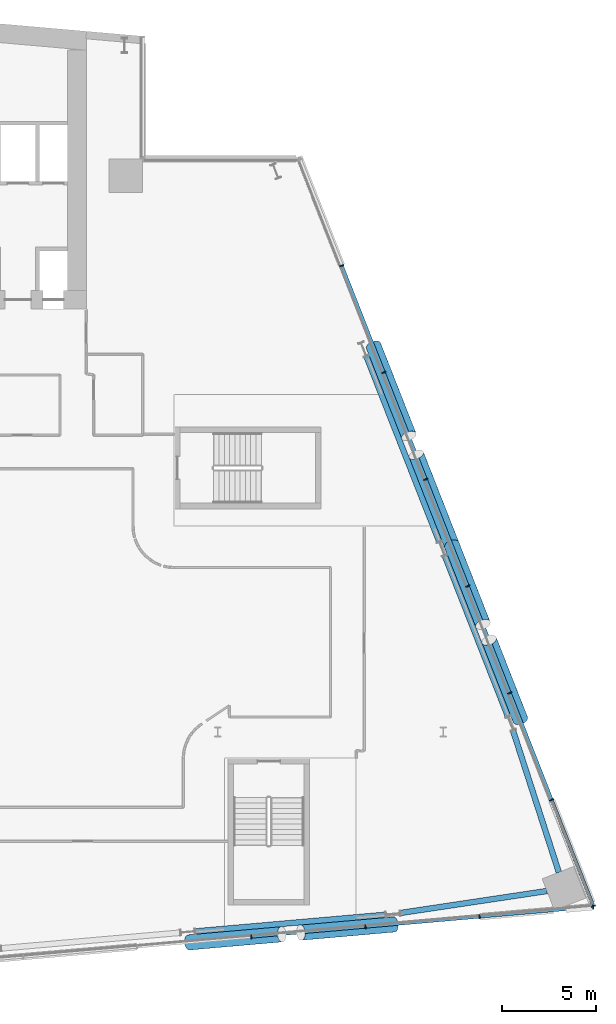
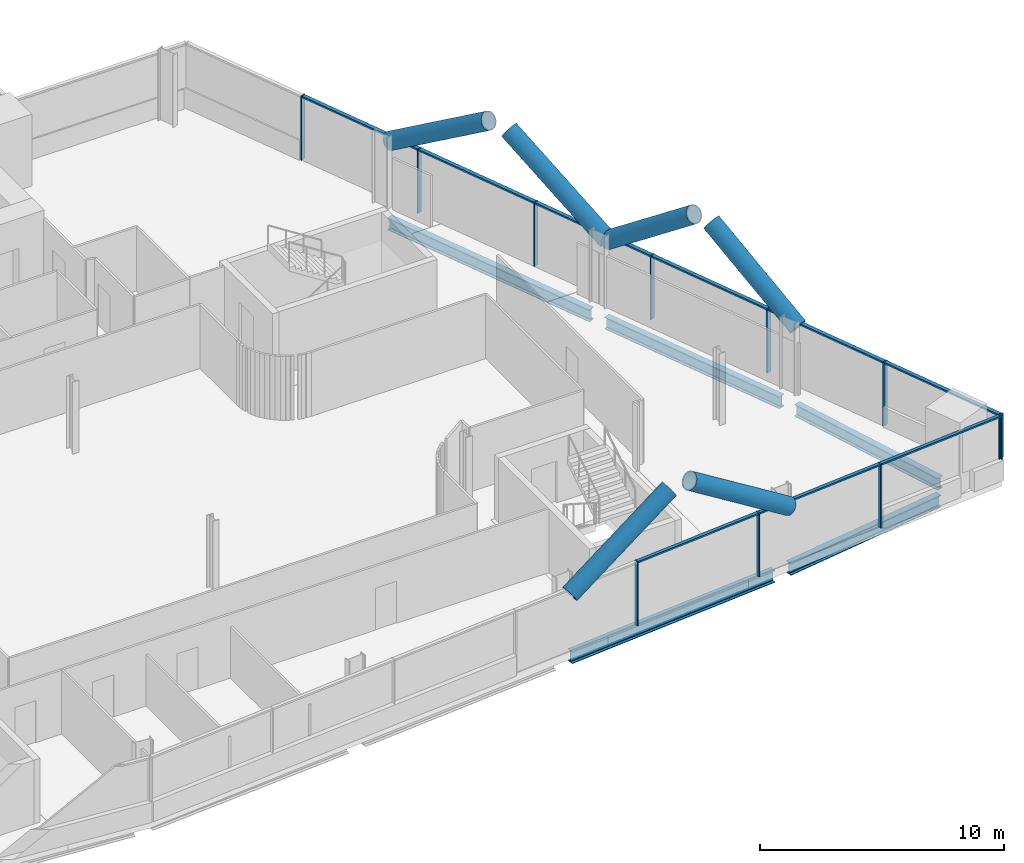
# One storey, part 10 of 30: 26 members, 5 beams, 2 elements without a shape of their own.
"""IFC4 building model written with IfcOpenShell, lengths in metres."""

from ifc_helpers import new_model, si_unit, direction, frame, origin, origin_2d, place, context, subcontext, project, spatial, rectangle, hollow_circle, i_section, extrude, material, material_profile, profile_set, type_object, element, aggregate, save


model = new_model("IFC4")

# Units and contexts
model_context = context("Model", 3, precision=1e-05, world=origin(), true_north=direction((0.0, 1.0)))
body_context = subcontext(model_context, "Body", "Model", "MODEL_VIEW")
ifc_project = project(units=[si_unit("LENGTHUNIT", "METRE"), si_unit("AREAUNIT", "SQUARE_METRE"), si_unit("VOLUMEUNIT", "CUBIC_METRE"), si_unit("PLANEANGLEUNIT", "RADIAN"), si_unit("MASSUNIT", "GRAM", prefix="KILO")], contexts=[model_context])

# Site, building, storey
site_placement = place(None, origin())
site = spatial("IfcSite", under=ifc_project, at=site_placement, CompositionType="ELEMENT")
building_placement = place(site_placement, origin())
building = spatial("IfcBuilding", under=site, at=building_placement, Name="Wharfspan Tower", CompositionType="ELEMENT")
storey_placement = place(building_placement, frame((0.0, 0.0, 107.5)))
storey = spatial("IfcBuildingStorey", under=building, at=storey_placement, Name="L24", CompositionType="ELEMENT", Elevation=107.5)

# Beams
ifc_material_1 = material(Name="Steel S355J2", Category="steel")
ifc_material_profile_1 = material_profile(ifc_material_1, i_section(OverallWidth=0.300049, OverallDepth=0.600098, WebThickness=0.015381, FlangeThickness=0.030029, FilletRadius=0.0271, at=origin_2d()))
ifc_profile_set_1 = profile_set([ifc_material_profile_1], Name="Steel S355J2")
beam_type = type_object("IfcBeamType", Name="Edge beam HEB 600", PredefinedType="SPANDREL", material=ifc_profile_set_1)
beam_1_placement = place(storey_placement, frame((70.805664, 0.887695, -0.699951), z_axis=(0.996194, 0.087159, 0.0), x_axis=(-0.087159, 0.996194, 0.0)))
element("IfcBeam", 1, at=beam_1_placement, inside=storey, type_object=beam_type, Name="Edge beam S2 L24 PS2.2 to PS2.3", PredefinedType="SPANDREL", context=body_context, shape_type="SweptSolid", body=[
    extrude(i_section(OverallWidth=0.300049, OverallDepth=0.600098, WebThickness=0.015381, FlangeThickness=0.030029, FilletRadius=0.0271, at=origin_2d()), origin(), (0.0, 0.0, 1.0), 10.159424),
])
beam_2_placement = place(storey_placement, frame((81.727295, 1.868408, -0.699951), z_axis=(0.988926, 0.148412, 0.0), x_axis=(-0.148412, 0.988926, 0.0)))
element("IfcBeam", 2, at=beam_2_placement, inside=storey, type_object=beam_type, Name="Edge beam S2 L24 PS2.3 to MC4", PredefinedType="SPANDREL", context=body_context, shape_type="SweptSolid", body=[
    extrude(i_section(OverallWidth=0.300049, OverallDepth=0.600098, WebThickness=0.015381, FlangeThickness=0.030029, FilletRadius=0.0271, at=origin_2d()), origin(), (0.0, 0.0, 1.0), 7.87793),
])
beam_3_placement = place(storey_placement, frame((90.150879, 4.02832, -0.699951), z_axis=(-0.307851, 0.951434, 0.0), x_axis=(-0.951434, -0.307851, 0.0)))
element("IfcBeam", 3, at=beam_3_placement, inside=storey, type_object=beam_type, Name="Edge beam E L24 MC4 to PE.1", PredefinedType="SPANDREL", context=body_context, shape_type="SweptSolid", body=[
    extrude(i_section(OverallWidth=0.300049, OverallDepth=0.600098, WebThickness=0.015381, FlangeThickness=0.030029, FilletRadius=0.0271, at=origin_2d()), origin(), (0.0, 0.0, 1.0), 7.924805),
])
beam_4_placement = place(storey_placement, frame((87.439453, 12.327637, -0.699951), z_axis=(-0.365779, 0.930702, 0.0), x_axis=(-0.930702, -0.365779, 0.0)))
element("IfcBeam", 4, at=beam_4_placement, inside=storey, type_object=beam_type, Name="Edge beam E L24 PE.1 to PE.2", PredefinedType="SPANDREL", context=body_context, shape_type="SweptSolid", body=[
    extrude(i_section(OverallWidth=0.300049, OverallDepth=0.600098, WebThickness=0.015381, FlangeThickness=0.030029, FilletRadius=0.0271, at=origin_2d()), origin(), (0.0, 0.0, 1.0), 9.184814),
])
beam_5_placement = place(storey_placement, frame((83.785156, 21.625977, -0.699951), z_axis=(-0.365789, 0.930698, 0.0), x_axis=(-0.930698, -0.365789, 0.0)))
element("IfcBeam", 5, at=beam_5_placement, inside=storey, type_object=beam_type, Name="Edge beam E L24 PE.2 to PE.3", PredefinedType="SPANDREL", context=body_context, shape_type="SweptSolid", body=[
    extrude(i_section(OverallWidth=0.300049, OverallDepth=0.600098, WebThickness=0.015381, FlangeThickness=0.030029, FilletRadius=0.0271, at=origin_2d()), origin(), (0.0, 0.0, 1.0), 10.584961),
])

# Curtain wall, members
ifc_material_2 = material(Name="Aluminium 6063-T6", Category="aluminium")
curtain_wall_type_1 = type_object("IfcCurtainWallType", Name="CURTAIN WALL FACETED FRONT", PredefinedType="NOTDEFINED", material=ifc_material_2)
curtain_wall_1_placement = place(storey_placement, origin())
curtain_wall_1 = element("IfcCurtainWall", 6, at=curtain_wall_1_placement, inside=storey, type_object=curtain_wall_type_1, Name="Curtain wall S2", PredefinedType="NOTDEFINED")
ifc_material_profile_2 = material_profile(ifc_material_2, rectangle(XDim=0.199951, YDim=0.060059, at=origin_2d()))
ifc_profile_set_2 = profile_set([ifc_material_profile_2], Name="Aluminium 6063-T6")
member_type_1 = type_object("IfcMemberType", Name="MULLION FACETED FRONT 60x200", PredefinedType="MULLION", material=ifc_profile_set_2)
member_1_placement = place(storey_placement, frame((73.785645, 0.606445, 0.0), z_axis=(0.0, 0.0, 1.0), x_axis=(-0.087156, 0.996198, 0.0)))
member_1 = element("IfcMember", 7, at=member_1_placement, type_object=member_type_1, Name="Curtain wall S2 mullion 5", PredefinedType="MULLION", context=body_context, shape_type="SweptSolid", body=[
    extrude(rectangle(XDim=0.199951, YDim=0.060059, at=origin_2d()), origin(), (0.0, 0.0, 1.0), 3.199951),
])
member_2_placement = place(storey_placement, frame((79.857178, 1.137695, 0.0), z_axis=(0.0, 0.0, 1.0), x_axis=(-0.087156, 0.996198, 0.0)))
member_2 = element("IfcMember", 8, at=member_2_placement, type_object=member_type_1, Name="Curtain wall S2 mullion 6", PredefinedType="MULLION", context=body_context, shape_type="SweptSolid", body=[
    extrude(rectangle(XDim=0.199951, YDim=0.060059, at=origin_2d()), origin(), (0.0, 0.0, 1.0), 3.199951),
])
member_3_placement = place(storey_placement, frame((85.928467, 1.668701, 0.0), z_axis=(0.0, 0.0, 1.0), x_axis=(-0.087156, 0.996198, 0.0)))
member_3 = element("IfcMember", 9, at=member_3_placement, type_object=member_type_1, Name="Curtain wall S2 mullion 7", PredefinedType="MULLION", context=body_context, shape_type="SweptSolid", body=[
    extrude(rectangle(XDim=0.199951, YDim=0.060059, at=origin_2d()), origin(), (0.0, 0.0, 1.0), 3.199951),
])
member_4_placement = place(storey_placement, frame((91.970215, 2.197266, 1.0), z_axis=(0.0, 0.0, 1.0), x_axis=(-0.087156, 0.996198, 0.0)))
member_4 = element("IfcMember", 10, at=member_4_placement, type_object=member_type_1, Name="Curtain wall S2 mullion 8", PredefinedType="MULLION", context=body_context, shape_type="SweptSolid", body=[
    extrude(rectangle(XDim=0.199951, YDim=0.060059, at=origin_2d()), origin(), (0.0, 0.0, 1.0), 2.199951),
])

curtain_wall_type_2 = type_object("IfcCurtainWallType", Name="CURTAIN WALL PROW AND END", PredefinedType="NOTDEFINED", material=ifc_material_2)
curtain_wall_2_placement = place(storey_placement, origin())
curtain_wall_2 = element("IfcCurtainWall", 11, at=curtain_wall_2_placement, inside=storey, type_object=curtain_wall_type_2, Name="Curtain wall E", PredefinedType="NOTDEFINED")
ifc_material_profile_3 = material_profile(ifc_material_2, rectangle(XDim=0.23999, YDim=0.060059, at=origin_2d()))
ifc_profile_set_3 = profile_set([ifc_material_profile_3], Name="Aluminium 6063-T6")
member_type_2 = type_object("IfcMemberType", Name="MULLION PROW AND END 60x240", PredefinedType="MULLION", material=ifc_profile_set_3)
member_5_placement = place(storey_placement, frame((91.989014, 2.228027, 1.0), z_axis=(0.0, 0.0, 1.0), x_axis=(-0.930702, -0.365778, 0.0)))
member_5 = element("IfcMember", 12, at=member_5_placement, type_object=member_type_2, Name="Curtain wall E mullion 1", PredefinedType="MULLION", context=body_context, shape_type="SweptSolid", body=[
    extrude(rectangle(XDim=0.23999, YDim=0.060059, at=origin_2d()), origin(), (0.0, 0.0, 1.0), 2.199951),
])
member_6_placement = place(storey_placement, frame((89.765381, 7.885742, 0.0), z_axis=(0.0, 0.0, 1.0), x_axis=(-0.930702, -0.365778, 0.0)))
member_6 = element("IfcMember", 13, at=member_6_placement, type_object=member_type_2, Name="Curtain wall E mullion 2", PredefinedType="MULLION", context=body_context, shape_type="SweptSolid", body=[
    extrude(rectangle(XDim=0.23999, YDim=0.060059, at=origin_2d()), origin(), (0.0, 0.0, 1.0), 3.199951),
])
member_7_placement = place(storey_placement, frame((87.530762, 13.571533, 0.0), z_axis=(0.0, 0.0, 1.0), x_axis=(-0.930702, -0.365778, 0.0)))
member_7 = element("IfcMember", 14, at=member_7_placement, type_object=member_type_2, Name="Curtain wall E mullion 3", PredefinedType="MULLION", context=body_context, shape_type="SweptSolid", body=[
    extrude(rectangle(XDim=0.23999, YDim=0.060059, at=origin_2d()), origin(), (0.0, 0.0, 1.0), 3.199951),
])
member_8_placement = place(storey_placement, frame((85.296387, 19.25708, 0.0), z_axis=(0.0, 0.0, 1.0), x_axis=(-0.930702, -0.365778, 0.0)))
member_8 = element("IfcMember", 15, at=member_8_placement, type_object=member_type_2, Name="Curtain wall E mullion 4", PredefinedType="MULLION", context=body_context, shape_type="SweptSolid", body=[
    extrude(rectangle(XDim=0.23999, YDim=0.060059, at=origin_2d()), origin(), (0.0, 0.0, 1.0), 3.199951),
])
member_9_placement = place(storey_placement, frame((83.061768, 24.942871, 0.0), z_axis=(0.0, 0.0, 1.0), x_axis=(-0.930702, -0.365778, 0.0)))
member_9 = element("IfcMember", 16, at=member_9_placement, type_object=member_type_2, Name="Curtain wall E mullion 5", PredefinedType="MULLION", context=body_context, shape_type="SweptSolid", body=[
    extrude(rectangle(XDim=0.23999, YDim=0.060059, at=origin_2d()), origin(), (0.0, 0.0, 1.0), 3.199951),
])
member_10_placement = place(storey_placement, frame((80.827148, 30.628662, 0.0), z_axis=(0.0, 0.0, 1.0), x_axis=(-0.930702, -0.365778, 0.0)))
member_10 = element("IfcMember", 17, at=member_10_placement, type_object=member_type_2, Name="Curtain wall E mullion 6", PredefinedType="MULLION", context=body_context, shape_type="SweptSolid", body=[
    extrude(rectangle(XDim=0.23999, YDim=0.060059, at=origin_2d()), origin(), (0.0, 0.0, 1.0), 3.199951),
])
member_11_placement = place(storey_placement, frame((78.592529, 36.314209, 0.0), z_axis=(0.0, 0.0, 1.0), x_axis=(-0.930702, -0.365778, 0.0)))
member_11 = element("IfcMember", 18, at=member_11_placement, type_object=member_type_2, Name="Curtain wall E mullion 7", PredefinedType="MULLION", context=body_context, shape_type="SweptSolid", body=[
    extrude(rectangle(XDim=0.23999, YDim=0.060059, at=origin_2d()), origin(), (0.0, 0.0, 1.0), 3.199951),
])

# Members
ifc_material_3 = material(Name="Steel S460NH", Category="steel")
ifc_material_profile_4 = material_profile(ifc_material_3, hollow_circle(Radius=0.406494, WallThickness=0.040039, at=origin_2d()))
ifc_profile_set_4 = profile_set([ifc_material_profile_4], Name="Steel S460NH")
member_type_3 = type_object("IfcMemberType", Name="Mega brace CHS 813x40", PredefinedType="BRACE", material=ifc_profile_set_4)
member_12_placement = place(storey_placement, frame((70.452393, 0.299805, 2.899902), z_axis=(0.832734, 0.072869, 0.548858), x_axis=(-0.087173, 0.99619, 1e-06)))
element("IfcMember", 19, at=member_12_placement, inside=storey, type_object=member_type_3, Name="Mega brace S2 L25 part 1", PredefinedType="BRACE", context=body_context, shape_type="SweptSolid", body=[
    extrude(hollow_circle(Radius=0.406494, WallThickness=0.040039, at=origin_2d()), origin(), (0.0, 0.0, 1.0), 5.943604),
])
member_13_placement = place(storey_placement, frame((81.376221, 1.255371, 2.899902), z_axis=(-0.832724, -0.07283, 0.548878), x_axis=(0.087128, -0.996197, 1e-06)))
element("IfcMember", 20, at=member_13_placement, inside=storey, type_object=member_type_3, Name="Mega brace S2 L25 part 3", PredefinedType="BRACE", context=body_context, shape_type="SweptSolid", body=[
    extrude(hollow_circle(Radius=0.406494, WallThickness=0.040039, at=origin_2d()), origin(), (0.0, 0.0, 1.0), 5.943359),
])
for number, where, z_axis, x_axis, name in (
    (21, (84.448975, 21.454102, 2.899902), (-0.30918, 0.786702, 0.534329), (-0.930701, -0.36577, -4e-06), "Mega brace E5 L25 part 1"),
    (22, (80.282471, 32.05542, 2.899902), (0.309216, -0.786692, 0.534323), (0.93069, 0.365817, 2e-06), "Mega brace E5 L25 part 3"),
):
    element("IfcMember", number, at=place(storey_placement, frame(where, z_axis=z_axis, x_axis=x_axis)), inside=storey, type_object=member_type_3, Name=name, PredefinedType="BRACE", context=body_context, shape_type="SweptSolid", body=[
        extrude(hollow_circle(Radius=0.406494, WallThickness=0.040039, at=origin_2d()), origin(), (0.0, 0.0, 1.0), 6.098389),
    ])
member_14_placement = place(storey_placement, frame((88.103516, 12.155518, 2.899902), z_axis=(-0.29676, 0.755051, 0.584664), x_axis=(-0.930695, -0.365797, 4e-06)))
element("IfcMember", 23, at=member_14_placement, inside=storey, type_object=member_type_3, Name="Mega brace E6 L25 part 1", PredefinedType="BRACE", context=body_context, shape_type="SweptSolid", body=[
    extrude(hollow_circle(Radius=0.406494, WallThickness=0.040039, at=origin_2d()), origin(), (0.0, 0.0, 1.0), 5.59668),
])
member_15_placement = place(storey_placement, frame((84.448975, 21.454102, 2.899902), z_axis=(0.29675, -0.75507, 0.584645), x_axis=(0.930704, 0.365779, 4e-06)))
element("IfcMember", 24, at=member_15_placement, inside=storey, type_object=member_type_3, Name="Mega brace E6 L25 part 3", PredefinedType="BRACE", context=body_context, shape_type="SweptSolid", body=[
    extrude(hollow_circle(Radius=0.406494, WallThickness=0.040039, at=origin_2d()), origin(), (0.0, 0.0, 1.0), 5.596924),
])

# Member
ifc_material_profile_5 = material_profile(ifc_material_2, rectangle(XDim=0.159912, YDim=0.080078, at=origin_2d()))
ifc_profile_set_5 = profile_set([ifc_material_profile_5], Name="Aluminium 6063-T6")
member_type_4 = type_object("IfcMemberType", Name="TRANSOM FACETED FRONT 80x160", PredefinedType="USERDEFINED", material=ifc_profile_set_5)
member_16_placement = place(storey_placement, frame((73.815674, 0.609131, 3.159912), z_axis=(0.996196, 0.087146, 0.0), x_axis=(-0.087146, 0.996196, 0.0)))
member_16 = element("IfcMember", 25, at=member_16_placement, type_object=member_type_4, Name="Curtain wall S2 transom 5", ObjectType="TRANSOM", PredefinedType="USERDEFINED", context=body_context, shape_type="SweptSolid", body=[
    extrude(rectangle(XDim=0.159912, YDim=0.080078, at=origin_2d()), origin(), (0.0, 0.0, 1.0), 6.034424),
])

member_17_placement = place(storey_placement, frame((79.886963, 1.140137, 3.159912), z_axis=(0.996192, 0.087183, 0.0), x_axis=(-0.087183, 0.996192, 0.0)))
member_17 = element("IfcMember", 26, at=member_17_placement, type_object=member_type_4, Name="Curtain wall S2 transom 6", ObjectType="TRANSOM", PredefinedType="USERDEFINED", context=body_context, shape_type="SweptSolid", body=[
    extrude(rectangle(XDim=0.159912, YDim=0.080078, at=origin_2d()), origin(), (0.0, 0.0, 1.0), 6.034668),
])

member_18_placement = place(storey_placement, frame((85.958496, 1.671387, 3.159912), z_axis=(0.996193, 0.087174, 0.0), x_axis=(-0.087174, 0.996193, 0.0)))
member_18 = element("IfcMember", 27, at=member_18_placement, type_object=member_type_4, Name="Curtain wall S2 transom 7", ObjectType="TRANSOM", PredefinedType="USERDEFINED", context=body_context, shape_type="SweptSolid", body=[
    extrude(rectangle(XDim=0.159912, YDim=0.080078, at=origin_2d()), origin(), (0.0, 0.0, 1.0), 6.004639),
])

aggregate(curtain_wall_1, [member_1, member_2, member_3, member_4, member_16, member_17, member_18])

ifc_material_profile_6 = material_profile(ifc_material_2, rectangle(XDim=0.179932, YDim=0.080078, at=origin_2d()))
ifc_profile_set_6 = profile_set([ifc_material_profile_6], Name="Aluminium 6063-T6")
member_type_5 = type_object("IfcMemberType", Name="TRANSOM PROW AND END 80x180", PredefinedType="USERDEFINED", material=ifc_profile_set_6)
member_19_placement = place(storey_placement, frame((91.978027, 2.255859, 3.159912), z_axis=(-0.365775, 0.930703, 0.0), x_axis=(-0.930703, -0.365775, 0.0)))
member_19 = element("IfcMember", 28, at=member_19_placement, type_object=member_type_5, Name="Curtain wall E transom 1", ObjectType="TRANSOM", PredefinedType="USERDEFINED", context=body_context, shape_type="SweptSolid", body=[
    extrude(rectangle(XDim=0.179932, YDim=0.080078, at=origin_2d()), origin(), (0.0, 0.0, 1.0), 6.019043),
])

member_20_placement = place(storey_placement, frame((89.754395, 7.913574, 3.159912), z_axis=(-0.365782, 0.9307, 0.0), x_axis=(-0.9307, -0.365782, 0.0)))
member_20 = element("IfcMember", 29, at=member_20_placement, type_object=member_type_5, Name="Curtain wall E transom 2", ObjectType="TRANSOM", PredefinedType="USERDEFINED", context=body_context, shape_type="SweptSolid", body=[
    extrude(rectangle(XDim=0.179932, YDim=0.080078, at=origin_2d()), origin(), (0.0, 0.0, 1.0), 6.049072),
])

member_21_placement = place(storey_placement, frame((87.52002, 13.599365, 3.159912), z_axis=(-0.365782, 0.9307, 0.0), x_axis=(-0.9307, -0.365782, 0.0)))
member_21 = element("IfcMember", 30, at=member_21_placement, type_object=member_type_5, Name="Curtain wall E transom 3", ObjectType="TRANSOM", PredefinedType="USERDEFINED", context=body_context, shape_type="SweptSolid", body=[
    extrude(rectangle(XDim=0.179932, YDim=0.080078, at=origin_2d()), origin(), (0.0, 0.0, 1.0), 6.049072),
])

member_22_placement = place(storey_placement, frame((85.2854, 19.285156, 3.159912), z_axis=(-0.365782, 0.9307, 0.0), x_axis=(-0.9307, -0.365782, 0.0)))
member_22 = element("IfcMember", 31, at=member_22_placement, type_object=member_type_5, Name="Curtain wall E transom 4", ObjectType="TRANSOM", PredefinedType="USERDEFINED", context=body_context, shape_type="SweptSolid", body=[
    extrude(rectangle(XDim=0.179932, YDim=0.080078, at=origin_2d()), origin(), (0.0, 0.0, 1.0), 6.049072),
])

member_23_placement = place(storey_placement, frame((83.050781, 24.970703, 3.159912), z_axis=(-0.365782, 0.9307, 0.0), x_axis=(-0.9307, -0.365782, 0.0)))
member_23 = element("IfcMember", 32, at=member_23_placement, type_object=member_type_5, Name="Curtain wall E transom 5", ObjectType="TRANSOM", PredefinedType="USERDEFINED", context=body_context, shape_type="SweptSolid", body=[
    extrude(rectangle(XDim=0.179932, YDim=0.080078, at=origin_2d()), origin(), (0.0, 0.0, 1.0), 6.049072),
])

member_24_placement = place(storey_placement, frame((80.816162, 30.656494, 3.159912), z_axis=(-0.365782, 0.9307, 0.0), x_axis=(-0.9307, -0.365782, 0.0)))
member_24 = element("IfcMember", 33, at=member_24_placement, type_object=member_type_5, Name="Curtain wall E transom 6", ObjectType="TRANSOM", PredefinedType="USERDEFINED", context=body_context, shape_type="SweptSolid", body=[
    extrude(rectangle(XDim=0.179932, YDim=0.080078, at=origin_2d()), origin(), (0.0, 0.0, 1.0), 6.049072),
])

aggregate(curtain_wall_2, [member_5, member_6, member_7, member_8, member_9, member_10, member_11, member_19, member_20, member_21, member_22, member_23, member_24])

save(model, "model.ifc")
